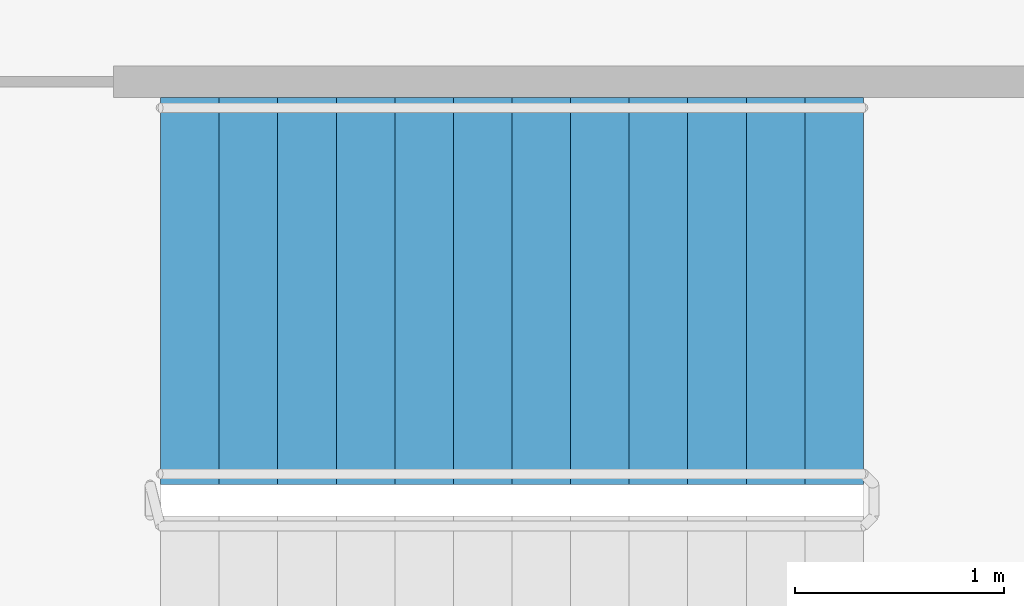
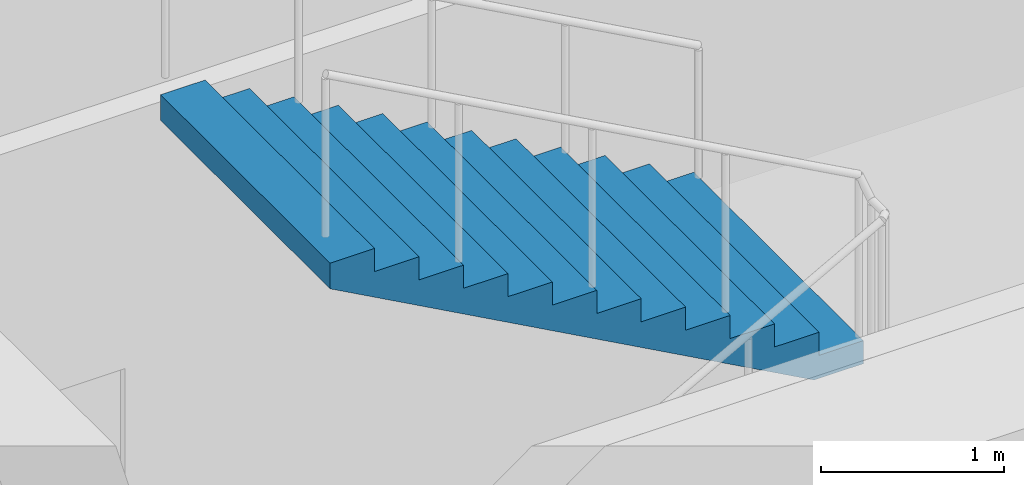
# One storey, part 8 of 10: 1 stair flight, 1 element without a shape of its own.
"""IFC4 building model written with IfcOpenShell, lengths in metres."""

import ifcopenshell
import ifcopenshell.guid

model = None  # the IFC model being written
_history = None  # IfcOwnerHistory: only IFC2X3 demands one
_inside = {}  # id of a spatial element -> (the spatial element, [elements in it])
_under = {}  # id of a project, library or spatial element -> (it, [spatial elements below it])
_declared = {}  # id of a project -> (the project, [libraries it declares])
_typed = {}  # id of a type object -> (the type object, [elements of that type])
_made_of = {}  # id of a material, layer set ... -> (it, [elements and type objects made of it])


def new_model(schema):
    """Start an empty IFC model of exactly this schema.

    Asked for "IFC4X3", IfcOpenShell would pick the latest addendum, in which some entities
    have other attributes; the version numbers below select the first issue.
    IFC2X3 requires an IfcOwnerHistory on every rooted entity: one is made here for all.
    """
    global model, _history
    if schema == "IFC4X3":
        model = ifcopenshell.file(schema_version=(4, 3, 0, 0))
    else:
        model = ifcopenshell.file(schema=schema)
    _inside.clear()
    _under.clear()
    _declared.clear()
    _typed.clear()
    _made_of.clear()
    _history = None
    if model.schema == "IFC2X3":
        org = make("IfcOrganization", Name="unknown")
        user = make(
            "IfcPersonAndOrganization",
            ThePerson=make("IfcPerson", FamilyName="unknown"),
            TheOrganization=org,
        )
        app = make(
            "IfcApplication",
            ApplicationDeveloper=org,
            Version="unknown",
            ApplicationFullName="unknown",
            ApplicationIdentifier="unknown",
        )
        _history = make(
            "IfcOwnerHistory",
            OwningUser=user,
            OwningApplication=app,
            ChangeAction="ADDED",
            CreationDate=0,
        )
    return model


def make(cls, **values):
    """One entity of the class cls with the attributes given. An attribute that is None is left unset."""
    return model.create_entity(
        cls, **{name: value for name, value in values.items() if value is not None}
    )


def rooted(cls, **values):
    """An entity with a GlobalId (a new one), such as an element, a storey or a relation."""
    return make(cls, GlobalId=ifcopenshell.guid.new(), OwnerHistory=_history, **values)


def si_unit(unit_type, name, prefix=None):
    """IfcSIUnit, for example si_unit("LENGTHUNIT", "METRE", prefix="MILLI")."""
    return make("IfcSIUnit", UnitType=unit_type, Prefix=prefix, Name=name)


def assignment(units):
    """IfcUnitAssignment: the units of a project."""
    return None if units is None else make("IfcUnitAssignment", Units=units)


def point(xyz):
    """IfcCartesianPoint."""
    return None if xyz is None else make("IfcCartesianPoint", Coordinates=xyz)


def direction(xyz):
    """IfcDirection."""
    return None if xyz is None else make("IfcDirection", DirectionRatios=xyz)


def frame(location, z_axis=None, x_axis=None):
    """IfcAxis2Placement3D, a coordinate frame: its origin and axes. An axis left out is left unset."""
    return make(
        "IfcAxis2Placement3D",
        Location=point(location),
        Axis=direction(z_axis),
        RefDirection=direction(x_axis),
    )


def origin():
    """The frame at (0, 0, 0) with its axes left unset."""
    return frame((0.0, 0.0, 0.0))


def place(relative_to, where):
    """IfcLocalPlacement: puts the frame where relative to a parent placement (None: the world)."""
    return make(
        "IfcLocalPlacement", PlacementRelTo=relative_to, RelativePlacement=where
    )


def context(
    kind, dimensions, precision=None, world=None, true_north=None, identifier=None
):
    """IfcGeometricRepresentationContext, for example the 3D "Model" context."""
    return make(
        "IfcGeometricRepresentationContext",
        ContextIdentifier=identifier,
        ContextType=kind,
        CoordinateSpaceDimension=dimensions,
        Precision=precision,
        WorldCoordinateSystem=world,
        TrueNorth=true_north,
    )


def subcontext(parent, identifier, kind, view, scale=None):
    """IfcGeometricRepresentationSubContext, for example "Body" below "Model"."""
    return make(
        "IfcGeometricRepresentationSubContext",
        ContextIdentifier=identifier,
        ContextType=kind,
        ParentContext=parent,
        TargetScale=scale,
        TargetView=view,
    )


def project(units=None, contexts=None):
    """IfcProject with its units and contexts."""
    return rooted(
        "IfcProject",
        Name="project",
        RepresentationContexts=contexts,
        UnitsInContext=assignment(units),
    )


def spatial(cls, under=None, at=None, **own):
    """A site, building, storey or space (cls), placed at a placement, below another one or the project."""
    s = rooted(cls, ObjectPlacement=at, **own)
    if under is not None:
        _under.setdefault(under.id(), (under, []))[1].append(s)
    return s


def polyline(points):
    """IfcPolyline through the points."""
    return make("IfcPolyline", Points=[point(p) for p in points])


def outline(outer, holes=None, kind="AREA"):
    """IfcArbitraryClosedProfileDef: a profile drawn as a closed curve; with holes, ...WithVoids."""
    if holes is None:
        return make("IfcArbitraryClosedProfileDef", ProfileType=kind, OuterCurve=outer)
    return make(
        "IfcArbitraryProfileDefWithVoids",
        ProfileType=kind,
        OuterCurve=outer,
        InnerCurves=holes,
    )


def extrude(swept, where, along, depth):
    """IfcExtrudedAreaSolid: the profile swept, set in the frame where, extruded along a direction by depth."""
    return make(
        "IfcExtrudedAreaSolid",
        SweptArea=swept,
        Position=where,
        ExtrudedDirection=direction(along),
        Depth=depth,
    )


def shape(context_of_items, identifier, shape_type, items):
    """IfcShapeRepresentation: the items that make up one representation, for example the "Body"."""
    return make(
        "IfcShapeRepresentation",
        ContextOfItems=context_of_items,
        RepresentationIdentifier=identifier,
        RepresentationType=shape_type,
        Items=items,
    )


def material(Name=None, Category=None):
    """IfcMaterial."""
    return make("IfcMaterial", Name=Name, Category=Category)


def made_of(thing, what):
    """Note that an element or type object is made of a material, layer set ...; save() writes the relation."""
    if what is not None:
        _made_of.setdefault(what.id(), (what, []))[1].append(thing)
    return thing


def type_object(cls, material=None, **own):
    """A type object (cls), such as IfcWallType, which elements share."""
    return made_of(rooted(cls, **own), material)


def element(
    cls,
    number,
    at=None,
    inside=None,
    cuts=None,
    type_object=None,
    material=None,
    context=None,
    identifier="Body",
    shape_type=None,
    held_by="IfcProductDefinitionShape",
    body=None,
    shapes=None,
    **own,
):
    """One element of the class cls, such as IfcWall. Its Tag is "e" and its number.

    at: its placement. inside: the storey or other place that contains it. cuts: it is an
    opening in that element (IfcRelVoidsElement). A single representation is given by context,
    identifier, shape_type and body (its items); several are given by shapes. held_by: the class
    of the entity that holds the representations. save() writes the other relations.
    """
    e = rooted(cls, Tag="e%d" % number, ObjectPlacement=at, **own)
    if body is not None:
        shapes = [shape(context, identifier, shape_type, body)]
    if shapes is not None:
        e.Representation = make(held_by, Representations=shapes)
    if inside is not None:
        _inside.setdefault(inside.id(), (inside, []))[1].append(e)
    if cuts is not None:
        rooted(
            "IfcRelVoidsElement", RelatingBuildingElement=cuts, RelatedOpeningElement=e
        )
    if type_object is not None:
        _typed.setdefault(type_object.id(), (type_object, []))[1].append(e)
    return made_of(e, material)


def aggregate(whole, parts):
    """IfcRelAggregates: a whole, such as a stair, and the parts it consists of."""
    return rooted("IfcRelAggregates", RelatingObject=whole, RelatedObjects=parts)


def save(model, path):
    """Write the relations noted so far, then the file.

    IfcRelAggregates (storeys below a building ...), IfcRelContainedInSpatialStructure (elements
    in a storey), IfcRelDefinesByType, IfcRelAssociatesMaterial and IfcRelDeclares: one each for
    every whole, place, type object, material and project.
    """
    for whole, parts in _under.values():
        aggregate(whole, parts)
    for where, things in _inside.values():
        rooted(
            "IfcRelContainedInSpatialStructure",
            RelatedElements=things,
            RelatingStructure=where,
        )
    for kind, things in _typed.values():
        rooted("IfcRelDefinesByType", RelatedObjects=things, RelatingType=kind)
    for what, things in _made_of.values():
        rooted("IfcRelAssociatesMaterial", RelatedObjects=things, RelatingMaterial=what)
    for by, libraries in _declared.values():
        rooted("IfcRelDeclares", RelatingContext=by, RelatedDefinitions=libraries)
    model.write(path)


model = new_model("IFC4")

# Units and contexts
model_context = context("Model", 3, precision=1e-05, world=origin(), true_north=direction((0.0, 1.0)))
body_context = subcontext(model_context, "Body", "Model", "MODEL_VIEW")
ifc_project = project(units=[si_unit("LENGTHUNIT", "METRE"), si_unit("AREAUNIT", "SQUARE_METRE"), si_unit("VOLUMEUNIT", "CUBIC_METRE"), si_unit("PLANEANGLEUNIT", "RADIAN"), si_unit("MASSUNIT", "GRAM", prefix="KILO")], contexts=[model_context])

# Site, building, storey
site_placement = place(None, origin())
site = spatial("IfcSite", under=ifc_project, at=site_placement, CompositionType="ELEMENT")
building_placement = place(site_placement, origin())
building = spatial("IfcBuilding", under=site, at=building_placement, Name="Zellij Exchange Tower", CompositionType="ELEMENT")
storey_placement = place(building_placement, frame((0.0, 0.0, 120.5)))
storey = spatial("IfcBuildingStorey", under=building, at=storey_placement, Name="L26", CompositionType="ELEMENT", Elevation=120.5)

# Stair, stair flight
ifc_material = material(Name="Concrete C40/50", Category="concrete")
stair_type = type_object("IfcStairType", Name="CORE-ST exit stair 1850 wide", PredefinedType="HALF_TURN_STAIR", material=ifc_material)
stair_placement = place(storey_placement, origin())
stair = element("IfcStair", 1, at=stair_placement, inside=storey, type_object=stair_type, Name="L26 exit stair ST4", PredefinedType="HALF_TURN_STAIR")
stair_flight_type = type_object("IfcStairFlightType", Name="CORE-SF flight 1850 riser 153.8 going 280", PredefinedType="STRAIGHT", material=ifc_material)
stair_flight_placement = place(storey_placement, frame((23.510009765625, -9.875, 2.0), z_axis=(0.0, 0.0, 1.0), x_axis=(-1.0, 0.0, 0.0)))
stair_flight = element("IfcStairFlight", 2, at=stair_flight_placement, type_object=stair_flight_type, Name="ST4 flight 2", NumberOfRisers=13, NumberOfTreads=12, PredefinedType="STRAIGHT", RiserHeight=0.153846154, TreadLength=0.28, context=body_context, shape_type="SweptSolid", body=[
    extrude(outline(polyline([(0.0, 0.0), (0.0, 0.15380859375), (0.280029296875, 0.15380859375), (0.280029296875, 0.3076171875), (0.56005859375, 0.3076171875), (0.56005859375, 0.46142578125), (0.840087890625, 0.46142578125), (0.840087890625, 0.615478515625), (1.1201171875, 0.615478515625), (1.1201171875, 0.769287109375), (1.39990234375, 0.769287109375), (1.39990234375, 0.923095703125), (1.679931640625, 0.923095703125), (1.679931640625, 1.076904296875), (1.9599609375, 1.076904296875), (1.9599609375, 1.230712890625), (2.239990234375, 1.230712890625), (2.239990234375, 1.384521484375), (2.52001953125, 1.384521484375), (2.52001953125, 1.53857421875), (2.800048828125, 1.53857421875), (2.800048828125, 1.6923828125), (3.080078125, 1.6923828125), (3.080078125, 1.84619140625), (3.360107421875, 1.84619140625), (3.360107421875, 2.0), (3.360107421875, 1.675048828125), (0.311279296875, 0.0), (0.0, 0.0)])), frame((0.0, 0.925048828125, 0.0), z_axis=(0.0, -1.0, 0.0), x_axis=(1.0, 0.0, 0.0)), (0.0, 0.0, 1.0), 1.85009765625),
])
aggregate(stair, [stair_flight])

save(model, "model.ifc")
